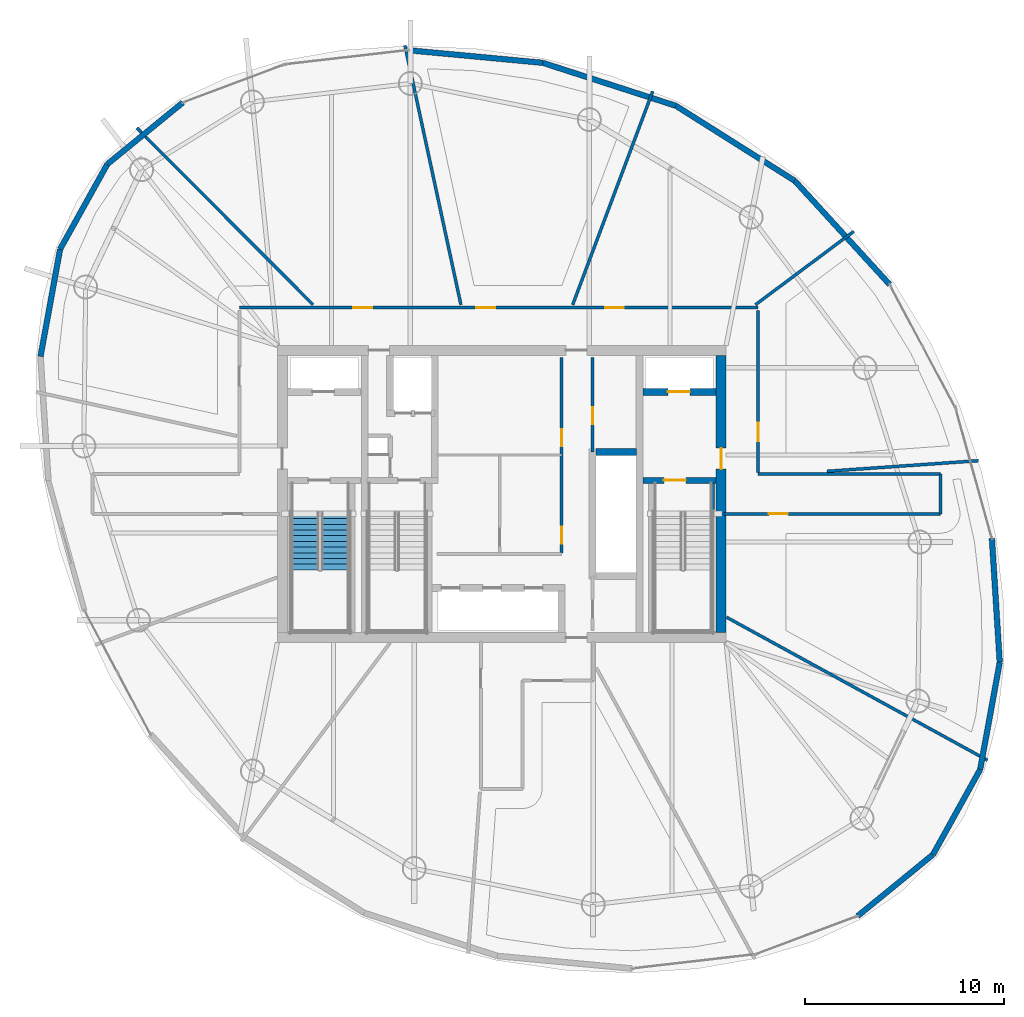
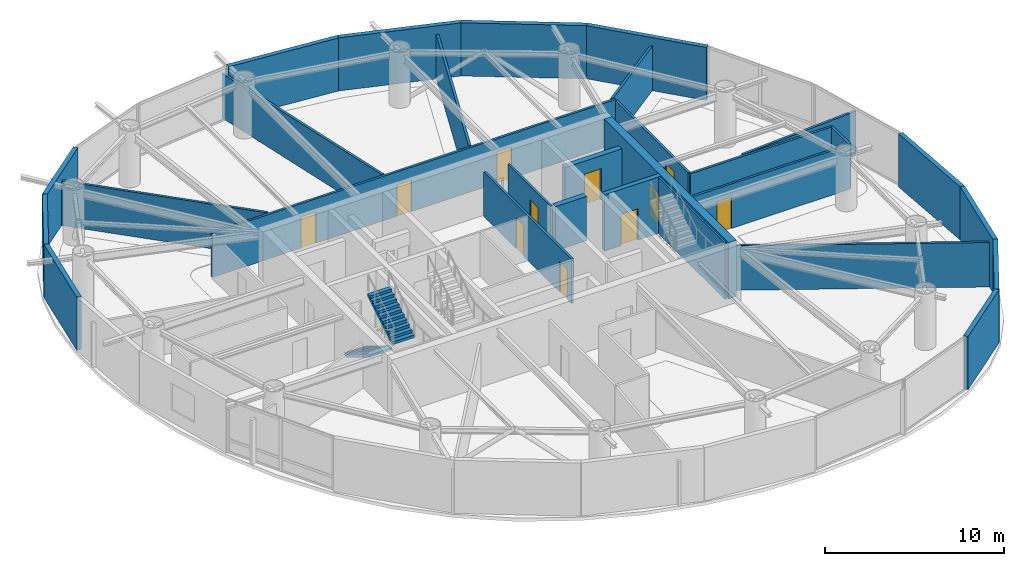
# One storey, part 18 of 22: 29 walls, 11 doors, 2 stair flights, 11 openings, 1 element without a shape of its own.
"""IFC4 building model written with IfcOpenShell, lengths in metres."""

from ifc_helpers import new_model, si_unit, direction, frame, frame_2d, origin, place, context, subcontext, project, spatial, polyline, rectangle, outline, extrude, material, layer, layer_set, type_object, element, fill, aggregate, save


model = new_model("IFC4")

# Units and contexts
model_context = context("Model", 3, precision=1e-05, world=origin(), true_north=direction((0.0, 1.0)))
body_context = subcontext(model_context, "Body", "Model", "MODEL_VIEW")
ifc_project = project(units=[si_unit("LENGTHUNIT", "METRE"), si_unit("AREAUNIT", "SQUARE_METRE"), si_unit("VOLUMEUNIT", "CUBIC_METRE"), si_unit("PLANEANGLEUNIT", "RADIAN"), si_unit("MASSUNIT", "GRAM", prefix="KILO")], contexts=[model_context])

# Site, building, storey
site_placement = place(None, origin())
site = spatial("IfcSite", under=ifc_project, at=site_placement, CompositionType="ELEMENT")
building_placement = place(site_placement, origin())
building = spatial("IfcBuilding", under=site, at=building_placement, Name="Bramvorn Convention Spire", CompositionType="ELEMENT")
storey_placement = place(building_placement, frame((0.0, 0.0, 190.449951171875)))
storey = spatial("IfcBuildingStorey", under=building, at=storey_placement, Name="L48", CompositionType="ELEMENT", Elevation=190.449951171875)

# Wall, opening, door
ifc_material_1 = material(Name="Concrete C50/60", Category="concrete")
ifc_layer_1 = layer(ifc_material_1, 0.5)
ifc_layer_set_1 = layer_set([ifc_layer_1], Name="Concrete C50/60 - WL-CORE-500")
wall_type_1 = type_object("IfcWallType", Name="WL-CORE-500", PredefinedType="SHEAR", material=ifc_layer_set_1)
wall_1_placement = place(storey_placement, frame((49.0, 19.050048828125, 0.0), z_axis=(0.0, 0.0, 1.0), x_axis=(0.0, 1.0, 0.0)))
wall_1 = element("IfcWall", 1, at=wall_1_placement, inside=storey, type_object=wall_type_1, Name="L48 East RC core shear wall", PredefinedType="SHEAR", context=body_context, shape_type="SweptSolid", body=[
    extrude(rectangle(XDim=13.89990234375, YDim=0.5, at=frame_2d((6.949951171875, 0.0))), origin(), (0.0, 0.0, 1.0), 3.85009765625),
])
opening_1_placement = place(wall_1_placement, frame((8.199951171875, 0.0, 0.0)))
opening_1 = element("IfcOpeningElement", 2, at=opening_1_placement, cuts=wall_1, Name="Opening DL-105", PredefinedType="OPENING", context=body_context, shape_type="SweptSolid", body=[
    extrude(rectangle(XDim=1.050048828125, YDim=2.14990234375, at=frame_2d((0.52490234375, 1.074951171875))), frame((0.0, 0.260009765625, 0.0), z_axis=(0.0, -1.0, 0.0), x_axis=(1.0, 0.0, 0.0)), (0.0, 0.0, 1.0), 0.52001953125),
])
ifc_material_2 = material(Name="Smoke-Sealed Fire Lobby Timber-Core Door", Category="wood")
door_type_1 = type_object("IfcDoorType", Name="DR-LOBBY-1050", OperationType="NOTDEFINED", PredefinedType="DOOR", material=ifc_material_2)
door_1_placement = place(opening_1_placement, origin())
door_1 = element("IfcDoor", 3, at=door_1_placement, inside=storey, type_object=door_type_1, Name="L48 East Firefighting Lobby corridor door", OperationType="SINGLE_SWING_LEFT", OverallHeight=2.14990234375, OverallWidth=1.050048828125, PredefinedType="DOOR", context=body_context, shape_type="SweptSolid", body=[
    extrude(rectangle(XDim=1.050048828125, YDim=2.14990234375, at=frame_2d((0.52490234375, 1.074951171875))), frame((0.0, 0.02490234375, 0.0), z_axis=(0.0, -1.0, 0.0), x_axis=(1.0, 0.0, 0.0)), (0.0, 0.0, 1.0), 0.050048828125),
])
fill(opening_1, door_1)

ifc_layer_2 = layer(ifc_material_1, 0.35009765625)
ifc_layer_set_2 = layer_set([ifc_layer_2], Name="Concrete C50/60 - WL-CORE-INT-350")
wall_type_2 = type_object("IfcWallType", Name="WL-CORE-INT-350", PredefinedType="SHEAR", material=ifc_layer_set_2)
wall_2_placement = place(storey_placement, frame((45.080078125, 31.1201171875, 0.0), z_axis=(0.0, 0.0, 1.0), x_axis=(1.0, 0.0, 0.0)))
wall_2 = element("IfcWall", 4, at=wall_2_placement, inside=storey, type_object=wall_type_2, Name="L48 FE2 shaft front wall", PredefinedType="SHEAR", context=body_context, shape_type="SweptSolid", body=[
    extrude(rectangle(XDim=3.669921875, YDim=0.35009765625, at=frame_2d((1.8349609375, 0.0))), origin(), (0.0, 0.0, 1.0), 3.03515625),
])
opening_2_placement = place(wall_2_placement, frame((1.25, 0.0, 0.0)))
opening_2 = element("IfcOpeningElement", 5, at=opening_2_placement, cuts=wall_2, Name="Opening LD-110", PredefinedType="OPENING", context=body_context, shape_type="SweptSolid", body=[
    extrude(rectangle(XDim=1.10009765625, YDim=2.14990234375, at=frame_2d((0.550048828125, 1.074951171875))), frame((0.0, 0.18505859375, 0.0), z_axis=(0.0, -1.0, 0.0), x_axis=(1.0, 0.0, 0.0)), (0.0, 0.0, 1.0), 0.3701171875),
])
ifc_material_3 = material(Name="Firefighting & Service Lift Sliding Landing Door", Category="steel")
door_type_2 = type_object("IfcDoorType", Name="DR-LIFT-LD-1100", OperationType="NOTDEFINED", PredefinedType="DOOR", material=ifc_material_3)
door_2_placement = place(opening_2_placement, origin())
door_2 = element("IfcDoor", 6, at=door_2_placement, inside=storey, type_object=door_type_2, Name="L48 Lift FE2 Sliding Landing Door", OperationType="SLIDING_TO_LEFT", OverallHeight=2.14990234375, OverallWidth=1.10009765625, PredefinedType="DOOR", context=body_context, shape_type="SweptSolid", body=[
    extrude(rectangle(XDim=1.10009765625, YDim=2.14990234375, at=frame_2d((0.550048828125, 1.074951171875))), frame((0.0, 0.02490234375, 0.0), z_axis=(0.0, -1.0, 0.0), x_axis=(1.0, 0.0, 0.0)), (0.0, 0.0, 1.0), 0.050048828125),
])
fill(opening_2, door_2)

# Walls
wall_3_placement = place(storey_placement, frame((42.719970703125, 28.10009765625, 0.0), z_axis=(0.0, 0.0, 1.0), x_axis=(1.0, 0.0, 0.0)))
element("IfcWall", 7, at=wall_3_placement, inside=storey, type_object=wall_type_2, Name="L48 High-rise lift bank north wall", PredefinedType="SHEAR", context=body_context, shape_type="SweptSolid", body=[
    extrude(rectangle(XDim=2.030029296875, YDim=0.35009765625, at=frame_2d((1.01513671875, 0.0))), origin(), (0.0, 0.0, 1.0), 3.03515625),
])
ifc_material_4 = material(Name="Precast Concrete C40/50 with Bronze Terracotta Rainscreen", Category="masonry")
ifc_layer_3 = layer(ifc_material_4, 0.300048828125)
ifc_layer_set_3 = layer_set([ifc_layer_3], Name="Precast Concrete C40/50 with Bronze Terracotta Rainscreen - WL-EXT-BRONZE-300")
wall_type_3 = type_object("IfcWallType", Name="WL-EXT-BRONZE-300", PredefinedType="SOLIDWALL", material=ifc_layer_set_3)
wall_4_placement = place(storey_placement, frame((61.985107421875, 12.1875, 0.0), z_axis=(0.0, 0.0, 1.0), x_axis=(-0.485290067778, -0.874353218165, 0.0)))
element("IfcWall", 8, at=wall_4_placement, inside=storey, type_object=wall_type_3, Name="L48 expressed bronze Gothic lancet pier wall 01", PredefinedType="SOLIDWALL", context=body_context, shape_type="SweptSolid", body=[
    extrude(rectangle(XDim=4.87646484375, YDim=0.280029296875, at=frame_2d((2.438232421875, 0.0))), origin(), (0.0, 0.0, 1.0), 3.6201171875),
])
wall_5_placement = place(storey_placement, frame((62.966796875, 17.563232421875, 0.0), z_axis=(0.0, 0.0, 1.0), x_axis=(-0.179644170525, -0.983731656498, 0.0)))
element("IfcWall", 9, at=wall_5_placement, inside=storey, type_object=wall_type_3, Name="L48 expressed bronze Gothic lancet pier wall 02", PredefinedType="SOLIDWALL", context=body_context, shape_type="SweptSolid", body=[
    extrude(rectangle(XDim=5.464599609375, YDim=0.280029296875, at=frame_2d((2.732421875, 0.0))), origin(), (0.0, 0.0, 1.0), 3.6201171875),
])
wall_6_placement = place(storey_placement, frame((62.573486328125, 23.777099609375, 0.0), z_axis=(0.0, 0.0, 1.0), x_axis=(0.063169203269, -0.998002831538, 0.0)))
element("IfcWall", 10, at=wall_6_placement, inside=storey, type_object=wall_type_3, Name="L48 expressed bronze Gothic lancet pier wall 03", PredefinedType="SOLIDWALL", context=body_context, shape_type="SweptSolid", body=[
    extrude(rectangle(XDim=6.226318359375, YDim=0.280029296875, at=frame_2d((3.11328125, 0.0))), origin(), (0.0, 0.0, 1.0), 3.6201171875),
])
wall_7_placement = place(storey_placement, frame((52.69287109375, 41.70166015625, 0.0), z_axis=(0.0, 0.0, 1.0), x_axis=(0.674996203947, -0.737821201008, 0.0)))
element("IfcWall", 11, at=wall_7_placement, inside=storey, type_object=wall_type_3, Name="L48 expressed bronze Gothic lancet pier wall 06", PredefinedType="SOLIDWALL", context=body_context, shape_type="SweptSolid", body=[
    extrude(rectangle(XDim=7.04541015625, YDim=0.280029296875, at=frame_2d((3.522705078125, 0.0))), origin(), (0.0, 0.0, 1.0), 3.6201171875),
])
wall_8_placement = place(storey_placement, frame((46.734375, 45.461669921875, 0.0), z_axis=(0.0, 0.0, 1.0), x_axis=(0.845697157584, -0.533663112511, 0.0)))
element("IfcWall", 12, at=wall_8_placement, inside=storey, type_object=wall_type_3, Name="L48 expressed bronze Gothic lancet pier wall 07", PredefinedType="SOLIDWALL", context=body_context, shape_type="SweptSolid", body=[
    extrude(rectangle(XDim=7.045654296875, YDim=0.280029296875, at=frame_2d((3.52294921875, 0.0))), origin(), (0.0, 0.0, 1.0), 3.6201171875),
])
wall_9_placement = place(storey_placement, frame((40.056884765625, 47.61962890625, 0.0), z_axis=(0.0, 0.0, 1.0), x_axis=(0.951544860773, -0.307509963964, 0.0)))
element("IfcWall", 13, at=wall_9_placement, inside=storey, type_object=wall_type_3, Name="L48 expressed bronze Gothic lancet pier wall 08", PredefinedType="SOLIDWALL", context=body_context, shape_type="SweptSolid", body=[
    extrude(rectangle(XDim=7.017578125, YDim=0.280029296875, at=frame_2d((3.5087890625, 0.0))), origin(), (0.0, 0.0, 1.0), 3.6201171875),
])
wall_10_placement = place(storey_placement, frame((33.302001953125, 48.251953125, 0.0), z_axis=(0.0, 0.0, 1.0), x_axis=(0.995647175429, -0.093202478833, 0.0)))
element("IfcWall", 14, at=wall_10_placement, inside=storey, type_object=wall_type_3, Name="L48 expressed bronze Gothic lancet pier wall 09", PredefinedType="SOLIDWALL", context=body_context, shape_type="SweptSolid", body=[
    extrude(rectangle(XDim=6.784423828125, YDim=0.280029296875, at=frame_2d((3.39208984375, 0.0))), origin(), (0.0, 0.0, 1.0), 3.6201171875),
])
wall_11_placement = place(storey_placement, frame((18.222412109375, 42.53662109375, 0.0), z_axis=(0.0, 0.0, 1.0), x_axis=(0.77459712555, 0.632454973172, 0.0)))
element("IfcWall", 15, at=wall_11_placement, inside=storey, type_object=wall_type_3, Name="L48 expressed bronze Gothic lancet pier wall 12", PredefinedType="SOLIDWALL", context=body_context, shape_type="SweptSolid", body=[
    extrude(rectangle(XDim=4.876220703125, YDim=0.280029296875, at=frame_2d((2.43798828125, 0.0))), origin(), (0.0, 0.0, 1.0), 3.6201171875),
])
wall_12_placement = place(storey_placement, frame((15.85595703125, 38.27294921875, 0.0), z_axis=(0.0, 0.0, 1.0), x_axis=(0.485290067778, 0.874353218165, 0.0)))
element("IfcWall", 16, at=wall_12_placement, inside=storey, type_object=wall_type_3, Name="L48 expressed bronze Gothic lancet pier wall 13", PredefinedType="SOLIDWALL", context=body_context, shape_type="SweptSolid", body=[
    extrude(rectangle(XDim=4.87646484375, YDim=0.280029296875, at=frame_2d((2.438232421875, 0.0))), origin(), (0.0, 0.0, 1.0), 3.6201171875),
])
wall_13_placement = place(storey_placement, frame((14.87451171875, 32.8974609375, 0.0), z_axis=(0.0, 0.0, 1.0), x_axis=(0.179608829185, 0.983738109701, 0.0)))
element("IfcWall", 17, at=wall_13_placement, inside=storey, type_object=wall_type_3, Name="L48 expressed bronze Gothic lancet pier wall 14", PredefinedType="SOLIDWALL", context=body_context, shape_type="SweptSolid", body=[
    extrude(rectangle(XDim=5.46435546875, YDim=0.280029296875, at=frame_2d((2.732177734375, 0.0))), origin(), (0.0, 0.0, 1.0), 3.6201171875),
])
wall_14_placement = place(storey_placement, frame((59.61865234375, 7.923828125, 0.0), z_axis=(0.0, 0.0, 1.0), x_axis=(-0.77459712555, -0.632454973172, 0.0)))
element("IfcWall", 18, at=wall_14_placement, inside=storey, type_object=wall_type_3, Name="L48 expressed bronze Gothic lancet pier wall 24", PredefinedType="SOLIDWALL", context=body_context, shape_type="SweptSolid", body=[
    extrude(rectangle(XDim=4.876220703125, YDim=0.280029296875, at=frame_2d((2.43798828125, 0.0))), origin(), (0.0, 0.0, 1.0), 3.6201171875),
])

# Wall, opening, door
ifc_material_5 = material(Name="Metal-Stud Demountable Office Partition", Category="gypsum")
ifc_layer_4 = layer(ifc_material_5, 0.1298828125)
ifc_layer_set_4 = layer_set([ifc_layer_4], Name="Metal-Stud Demountable Office Partition - WL-PART-130")
wall_type_4 = type_object("IfcWallType", Name="WL-PART-130", PredefinedType="PARTITIONING", material=ifc_layer_set_4)
wall_15_placement = place(storey_placement, frame((42.550048828125, 28.10009765625, 0.0), z_axis=(0.0, 0.0, 1.0), x_axis=(0.0, 1.0, 0.0)))
wall_15 = element("IfcWall", 19, at=wall_15_placement, inside=storey, type_object=wall_type_4, Name="L48 KA NE IDF wall", PredefinedType="PARTITIONING", context=body_context, shape_type="SweptSolid", body=[
    extrude(rectangle(XDim=4.75, YDim=0.1298828125, at=frame_2d((2.375, 0.0))), origin(), (0.0, 0.0, 1.0), 3.03515625),
])
opening_3_placement = place(wall_15_placement, frame((1.39990234375, 0.0, 0.0)))
opening_3 = element("IfcOpeningElement", 20, at=opening_3_placement, cuts=wall_15, Name="Opening DC-085", PredefinedType="OPENING", context=body_context, shape_type="SweptSolid", body=[
    extrude(rectangle(XDim=0.85009765625, YDim=2.10009765625, at=frame_2d((0.425048828125, 1.050048828125))), frame((0.0, 0.074951171875, 0.0), z_axis=(0.0, -1.0, 0.0), x_axis=(1.0, 0.0, 0.0)), (0.0, 0.0, 1.0), 0.14990234375),
])
ifc_material_6 = material(Name="Fire-Rated Core Washroom & IDF Door", Category="wood")
door_type_3 = type_object("IfcDoorType", Name="DR-CORE-850", OperationType="NOTDEFINED", PredefinedType="DOOR", material=ifc_material_6)
door_3_placement = place(opening_3_placement, origin())
door_3 = element("IfcDoor", 21, at=door_3_placement, inside=storey, type_object=door_type_3, Name="L48 Core IDF & BMS Room door", OperationType="SINGLE_SWING_LEFT", OverallHeight=2.10009765625, OverallWidth=0.85009765625, PredefinedType="DOOR", context=body_context, shape_type="SweptSolid", body=[
    extrude(rectangle(XDim=0.85009765625, YDim=2.10009765625, at=frame_2d((0.425048828125, 1.050048828125))), frame((0.0, 0.02490234375, 0.0), z_axis=(0.0, -1.0, 0.0), x_axis=(1.0, 0.0, 0.0)), (0.0, 0.0, 1.0), 0.050048828125),
])
fill(opening_3, door_3)

# Wall, openings, doors
ifc_material_7 = material(Name="Acoustic Metal-Stud Tenant/Corridor Partition", Category="gypsum")
ifc_layer_5 = layer(ifc_material_7, 0.14990234375)
ifc_layer_set_5 = layer_set([ifc_layer_5], Name="Acoustic Metal-Stud Tenant/Corridor Partition - WL-PART-150")
wall_type_5 = type_object("IfcWallType", Name="WL-PART-150", PredefinedType="PARTITIONING", material=ifc_layer_set_5)
wall_16_placement = place(storey_placement, frame((41.0, 23.050048828125, 0.0), z_axis=(0.0, 0.0, 1.0), x_axis=(0.0, 1.0, 0.0)))
wall_16 = element("IfcWall", 22, at=wall_16_placement, inside=storey, type_object=wall_type_5, Name="L48 KA east core wall", PredefinedType="PARTITIONING", context=body_context, shape_type="SweptSolid", body=[
    extrude(rectangle(XDim=9.800048828125, YDim=0.14990234375, at=frame_2d((4.89990234375, 0.0))), origin(), (0.0, 0.0, 1.0), 3.03515625),
])
opening_4_placement = place(wall_16_placement, frame((5.35009765625, 0.0, 0.0)))
opening_4 = element("IfcOpeningElement", 23, at=opening_4_placement, cuts=wall_16, Name="Opening DC-085", PredefinedType="OPENING", context=body_context, shape_type="SweptSolid", body=[
    extrude(rectangle(XDim=0.85009765625, YDim=2.10009765625, at=frame_2d((0.425048828125, 1.050048828125))), frame((0.0, 0.0849609375, 0.0), z_axis=(0.0, -1.0, 0.0), x_axis=(1.0, 0.0, 0.0)), (0.0, 0.0, 1.0), 0.169921875),
])
opening_5_placement = place(wall_16_placement, frame((0.449951171875, 0.0, 0.0)))
opening_5 = element("IfcOpeningElement", 24, at=opening_5_placement, cuts=wall_16, Name="Opening DC-085", PredefinedType="OPENING", context=body_context, shape_type="SweptSolid", body=[
    extrude(rectangle(XDim=0.85009765625, YDim=2.10009765625, at=frame_2d((0.425048828125, 1.050048828125))), frame((0.0, 0.0849609375, 0.0), z_axis=(0.0, -1.0, 0.0), x_axis=(1.0, 0.0, 0.0)), (0.0, 0.0, 1.0), 0.169921875),
])
door_4_placement = place(opening_4_placement, origin())
door_4 = element("IfcDoor", 25, at=door_4_placement, inside=storey, type_object=door_type_3, Name="L48 Core Linen & Equipment Store door", OperationType="SINGLE_SWING_LEFT", OverallHeight=2.10009765625, OverallWidth=0.85009765625, PredefinedType="DOOR", context=body_context, shape_type="SweptSolid", body=[
    extrude(rectangle(XDim=0.85009765625, YDim=2.10009765625, at=frame_2d((0.425048828125, 1.050048828125))), frame((0.0, 0.02490234375, 0.0), z_axis=(0.0, -1.0, 0.0), x_axis=(1.0, 0.0, 0.0)), (0.0, 0.0, 1.0), 0.050048828125),
])
fill(opening_4, door_4)
door_5_placement = place(opening_5_placement, origin())
door_5 = element("IfcDoor", 26, at=door_5_placement, inside=storey, type_object=door_type_3, Name="L48 Accessible Core Restroom door", OperationType="SINGLE_SWING_LEFT", OverallHeight=2.10009765625, OverallWidth=0.85009765625, PredefinedType="DOOR", context=body_context, shape_type="SweptSolid", body=[
    extrude(rectangle(XDim=0.85009765625, YDim=2.10009765625, at=frame_2d((0.425048828125, 1.050048828125))), frame((0.0, 0.02490234375, 0.0), z_axis=(0.0, -1.0, 0.0), x_axis=(1.0, 0.0, 0.0)), (0.0, 0.0, 1.0), 0.050048828125),
])
fill(opening_5, door_5)

wall_17_placement = place(storey_placement, frame((24.85009765625, 35.35009765625, 0.0), z_axis=(0.0, 0.0, 1.0), x_axis=(1.0, 0.0, 0.0)))
wall_17 = element("IfcWall", 27, at=wall_17_placement, inside=storey, type_object=wall_type_5, Name="L48 North gallery wall", PredefinedType="PARTITIONING", context=body_context, shape_type="SweptSolid", body=[
    extrude(rectangle(XDim=26.0, YDim=0.14990234375, at=frame_2d((13.0, 0.0))), origin(), (0.0, 0.0, 1.0), 3.03515625),
])
opening_6_placement = place(wall_17_placement, frame((18.3271484375, 0.0, 0.0)))
opening_6 = element("IfcOpeningElement", 28, at=opening_6_placement, cuts=wall_17, Name="Opening DH-095", PredefinedType="OPENING", context=body_context, shape_type="SweptSolid", body=[
    extrude(rectangle(XDim=0.949951171875, YDim=2.14990234375, at=frame_2d((0.47509765625, 1.074951171875))), frame((0.0, 0.0849609375, 0.0), z_axis=(0.0, -1.0, 0.0), x_axis=(1.0, 0.0, 0.0)), (0.0, 0.0, 1.0), 0.169921875),
])
opening_7_placement = place(wall_17_placement, frame((11.880859375, 0.0, 0.0)))
opening_7 = element("IfcOpeningElement", 29, at=opening_7_placement, cuts=wall_17, Name="Opening DH-095", PredefinedType="OPENING", context=body_context, shape_type="SweptSolid", body=[
    extrude(rectangle(XDim=0.949951171875, YDim=2.14990234375, at=frame_2d((0.47509765625, 1.074951171875))), frame((0.0, 0.0849609375, 0.0), z_axis=(0.0, -1.0, 0.0), x_axis=(1.0, 0.0, 0.0)), (0.0, 0.0, 1.0), 0.169921875),
])
opening_8_placement = place(wall_17_placement, frame((5.71142578125, 0.0, 0.0)))
opening_8 = element("IfcOpeningElement", 30, at=opening_8_placement, cuts=wall_17, Name="Opening DH-095", PredefinedType="OPENING", context=body_context, shape_type="SweptSolid", body=[
    extrude(rectangle(XDim=0.949951171875, YDim=2.14990234375, at=frame_2d((0.47509765625, 1.074951171875))), frame((0.0, 0.0849609375, 0.0), z_axis=(0.0, -1.0, 0.0), x_axis=(1.0, 0.0, 0.0)), (0.0, 0.0, 1.0), 0.169921875),
])
ifc_material_8 = material(Name="Solid-Core Acoustic Guestroom Entry Door", Category="wood")
door_type_4 = type_object("IfcDoorType", Name="DR-HOTEL-950", OperationType="NOTDEFINED", PredefinedType="DOOR", material=ifc_material_8)
door_6_placement = place(opening_6_placement, origin())
door_6 = element("IfcDoor", 31, at=door_6_placement, inside=storey, type_object=door_type_4, Name="L48 Archive & Document Vault 2 2 door", OperationType="SINGLE_SWING_LEFT", OverallHeight=2.14990234375, OverallWidth=0.949951171875, PredefinedType="DOOR", context=body_context, shape_type="SweptSolid", body=[
    extrude(rectangle(XDim=0.949951171875, YDim=2.14990234375, at=frame_2d((0.47509765625, 1.074951171875))), frame((0.0, 0.02490234375, 0.0), z_axis=(0.0, -1.0, 0.0), x_axis=(1.0, 0.0, 0.0)), (0.0, 0.0, 1.0), 0.050048828125),
])
fill(opening_6, door_6)
door_7_placement = place(opening_7_placement, origin())
door_7 = element("IfcDoor", 32, at=door_7_placement, inside=storey, type_object=door_type_4, Name="L48 Archive & Print Store 3 3 door", OperationType="SINGLE_SWING_LEFT", OverallHeight=2.14990234375, OverallWidth=0.949951171875, PredefinedType="DOOR", context=body_context, shape_type="SweptSolid", body=[
    extrude(rectangle(XDim=0.949951171875, YDim=2.14990234375, at=frame_2d((0.47509765625, 1.074951171875))), frame((0.0, 0.02490234375, 0.0), z_axis=(0.0, -1.0, 0.0), x_axis=(1.0, 0.0, 0.0)), (0.0, 0.0, 1.0), 0.050048828125),
])
fill(opening_7, door_7)
door_8_placement = place(opening_8_placement, origin())
door_8 = element("IfcDoor", 33, at=door_8_placement, inside=storey, type_object=door_type_4, Name="L48 Partner Private Office 1 4 door", OperationType="SINGLE_SWING_RIGHT", OverallHeight=2.14990234375, OverallWidth=0.949951171875, PredefinedType="DOOR", context=body_context, shape_type="SweptSolid", body=[
    extrude(rectangle(XDim=0.949951171875, YDim=2.14990234375, at=frame_2d((0.47509765625, 1.074951171875))), frame((0.0, 0.02490234375, 0.0), z_axis=(0.0, -1.0, 0.0), x_axis=(1.0, 0.0, 0.0)), (0.0, 0.0, 1.0), 0.050048828125),
])
fill(opening_8, door_8)

# Wall, opening, door
wall_18_placement = place(storey_placement, frame((50.85009765625, 27.080078125, 0.0), z_axis=(0.0, 0.0, 1.0), x_axis=(0.0, 1.0, 0.0)))
wall_18 = element("IfcWall", 34, at=wall_18_placement, inside=storey, type_object=wall_type_5, Name="L48 NE gallery cheek", PredefinedType="PARTITIONING", context=body_context, shape_type="SweptSolid", body=[
    extrude(rectangle(XDim=8.119873046875, YDim=0.14990234375, at=frame_2d((4.06005859375, 0.0))), origin(), (0.0, 0.0, 1.0), 3.03515625),
])
opening_9_placement = place(wall_18_placement, frame((1.554931640625, 0.0, 0.0)))
opening_9 = element("IfcOpeningElement", 35, at=opening_9_placement, cuts=wall_18, Name="Opening DH-095", PredefinedType="OPENING", context=body_context, shape_type="SweptSolid", body=[
    extrude(rectangle(XDim=0.949951171875, YDim=2.14990234375, at=frame_2d((0.47509765625, 1.074951171875))), frame((0.0, 0.0849609375, 0.0), z_axis=(0.0, -1.0, 0.0), x_axis=(1.0, 0.0, 0.0)), (0.0, 0.0, 1.0), 0.169921875),
])
door_9_placement = place(opening_9_placement, origin())
door_9 = element("IfcDoor", 36, at=door_9_placement, inside=storey, type_object=door_type_4, Name="L48 Archive & Document Store 1 1 door", OperationType="SINGLE_SWING_RIGHT", OverallHeight=2.14990234375, OverallWidth=0.949951171875, PredefinedType="DOOR", context=body_context, shape_type="SweptSolid", body=[
    extrude(rectangle(XDim=0.949951171875, YDim=2.14990234375, at=frame_2d((0.47509765625, 1.074951171875))), frame((0.0, 0.02490234375, 0.0), z_axis=(0.0, -1.0, 0.0), x_axis=(1.0, 0.0, 0.0)), (0.0, 0.0, 1.0), 0.050048828125),
])
fill(opening_9, door_9)

# Wall
wall_19_placement = place(storey_placement, frame((50.85009765625, 27.0, 0.0), z_axis=(0.0, 0.0, 1.0), x_axis=(1.0, 0.0, 0.0)))
element("IfcWall", 37, at=wall_19_placement, inside=storey, type_object=wall_type_5, Name="L48 East wing spine north wall", PredefinedType="PARTITIONING", context=body_context, shape_type="SweptSolid", body=[
    extrude(rectangle(XDim=9.15673828125, YDim=0.14990234375, at=frame_2d((4.578369140625, 0.0))), origin(), (0.0, 0.0, 1.0), 3.03515625),
])

# Wall, opening, door
wall_20_placement = place(storey_placement, frame((49.14990234375, 25.0, 0.0), z_axis=(0.0, 0.0, 1.0), x_axis=(1.0, 0.0, 0.0)))
wall_20 = element("IfcWall", 38, at=wall_20_placement, inside=storey, type_object=wall_type_5, Name="L48 East wing spine south wall", PredefinedType="PARTITIONING", context=body_context, shape_type="SweptSolid", body=[
    extrude(rectangle(XDim=10.85693359375, YDim=0.14990234375, at=frame_2d((5.428466796875, 0.0))), origin(), (0.0, 0.0, 1.0), 3.03515625),
])
opening_10_placement = place(wall_20_placement, frame((2.2392578125, 0.0, 0.0)))
opening_10 = element("IfcOpeningElement", 39, at=opening_10_placement, cuts=wall_20, Name="Opening DH-095", PredefinedType="OPENING", context=body_context, shape_type="SweptSolid", body=[
    extrude(rectangle(XDim=0.949951171875, YDim=2.14990234375, at=frame_2d((0.47509765625, 1.074951171875))), frame((0.0, 0.0849609375, 0.0), z_axis=(0.0, -1.0, 0.0), x_axis=(1.0, 0.0, 0.0)), (0.0, 0.0, 1.0), 0.169921875),
])
door_10_placement = place(opening_10_placement, origin())
door_10 = element("IfcDoor", 40, at=door_10_placement, inside=storey, type_object=door_type_4, Name="L48 Archive & Document Store 1 11 door", OperationType="SINGLE_SWING_LEFT", OverallHeight=2.14990234375, OverallWidth=0.949951171875, PredefinedType="DOOR", context=body_context, shape_type="SweptSolid", body=[
    extrude(rectangle(XDim=0.949951171875, YDim=2.14990234375, at=frame_2d((0.47509765625, 1.074951171875))), frame((0.0, 0.02490234375, 0.0), z_axis=(0.0, -1.0, 0.0), x_axis=(1.0, 0.0, 0.0)), (0.0, 0.0, 1.0), 0.050048828125),
])
fill(opening_10, door_10)

# Walls
wall_21_placement = place(storey_placement, frame((60.0068359375, 25.0, 0.0), z_axis=(0.0, 0.0, 1.0), x_axis=(0.0, 1.0, 0.0)))
element("IfcWall", 41, at=wall_21_placement, inside=storey, type_object=wall_type_5, Name="L48 East wing spine end wall", PredefinedType="PARTITIONING", context=body_context, shape_type="SweptSolid", body=[
    extrude(rectangle(XDim=2.0, YDim=0.14990234375, at=frame_2d((1.0, 0.0))), origin(), (0.0, 0.0, 1.0), 3.03515625),
])
wall_22_placement = place(storey_placement, frame((54.302734375, 27.139892578125, 0.0), z_axis=(0.0, 0.0, 1.0), x_axis=(0.997562514279, 0.069778435819, 0.0)))
element("IfcWall", 42, at=wall_22_placement, inside=storey, type_object=wall_type_5, Name="L48 Tenant suite partition 1", PredefinedType="PARTITIONING", context=body_context, shape_type="SweptSolid", body=[
    extrude(rectangle(XDim=7.620361328125, YDim=0.14990234375, at=frame_2d((3.81005859375, 0.0))), origin(), (0.0, 0.0, 1.0), 3.03515625),
])
wall_23_placement = place(storey_placement, frame((50.71923828125, 35.489990234375, 0.0), z_axis=(0.0, 0.0, 1.0), x_axis=(0.801486425079, 0.598012968433, 0.0)))
element("IfcWall", 43, at=wall_23_placement, inside=storey, type_object=wall_type_5, Name="L48 Tenant suite partition 2", PredefinedType="PARTITIONING", context=body_context, shape_type="SweptSolid", body=[
    extrude(rectangle(XDim=6.158935546875, YDim=0.14990234375, at=frame_2d((3.07958984375, 0.0))), origin(), (0.0, 0.0, 1.0), 3.03515625),
])
wall_24_placement = place(storey_placement, frame((41.556640625, 35.489990234375, 0.0), z_axis=(0.0, 0.0, 1.0), x_axis=(0.350964338917, 0.936388825653, 0.0)))
element("IfcWall", 44, at=wall_24_placement, inside=storey, type_object=wall_type_5, Name="L48 Tenant suite partition 3", PredefinedType="PARTITIONING", context=body_context, shape_type="SweptSolid", body=[
    extrude(rectangle(XDim=11.435546875, YDim=0.14990234375, at=frame_2d((5.7177734375, 0.0))), origin(), (0.0, 0.0, 1.0), 3.03515625),
])
wall_25_placement = place(storey_placement, frame((35.951416015625, 35.489990234375, 0.0), z_axis=(0.0, 0.0, 1.0), x_axis=(-0.211016689377, 0.977482458566, 0.0)))
element("IfcWall", 45, at=wall_25_placement, inside=storey, type_object=wall_type_5, Name="L48 Tenant suite partition 4", PredefinedType="PARTITIONING", context=body_context, shape_type="SweptSolid", body=[
    extrude(rectangle(XDim=13.3017578125, YDim=0.14990234375, at=frame_2d((6.65087890625, 0.0))), origin(), (0.0, 0.0, 1.0), 3.03515625),
])
wall_26_placement = place(storey_placement, frame((28.5400390625, 35.489990234375, 0.0), z_axis=(0.0, 0.0, 1.0), x_axis=(-0.705983856865, 0.708227925068, 0.0)))
element("IfcWall", 46, at=wall_26_placement, inside=storey, type_object=wall_type_5, Name="L48 Tenant suite partition 5", PredefinedType="PARTITIONING", context=body_context, shape_type="SweptSolid", body=[
    extrude(rectangle(XDim=12.51123046875, YDim=0.14990234375, at=frame_2d((6.255615234375, 0.0))), origin(), (0.0, 0.0, 1.0), 3.03515625),
])
wall_27_placement = place(storey_placement, frame((49.27001953125, 19.822998046875, 0.0), z_axis=(0.0, 0.0, 1.0), x_axis=(0.876914727702, -0.48064598234, 0.0)))
element("IfcWall", 47, at=wall_27_placement, inside=storey, type_object=wall_type_5, Name="L48 Tenant suite partition 11", PredefinedType="PARTITIONING", context=body_context, shape_type="SweptSolid", body=[
    extrude(rectangle(XDim=14.92431640625, YDim=0.14990234375, at=frame_2d((7.462158203125, 0.0))), origin(), (0.0, 0.0, 1.0), 3.03515625),
])

# Wall, opening, door
ifc_layer_6 = layer(ifc_material_1, 0.300048828125)
ifc_layer_set_6 = layer_set([ifc_layer_6], Name="Concrete C50/60 - WL-POD-STAIR-300")
wall_type_6 = type_object("IfcWallType", Name="WL-POD-STAIR-300", PredefinedType="SHEAR", material=ifc_layer_set_6)
wall_28_placement = place(storey_placement, frame((45.080078125, 26.68994140625, 0.0), z_axis=(0.0, 0.0, 1.0), x_axis=(1.0, 0.0, 0.0)))
wall_28 = element("IfcWall", 48, at=wall_28_placement, inside=storey, type_object=wall_type_6, Name="L48 ST2 north fire wall", PredefinedType="SHEAR", context=body_context, shape_type="SweptSolid", body=[
    extrude(rectangle(XDim=3.669921875, YDim=0.300048828125, at=frame_2d((1.8349609375, 0.0))), origin(), (0.0, 0.0, 1.0), 3.85009765625),
])
opening_11_placement = place(wall_28_placement, frame((1.050048828125, 0.0, 0.0)))
opening_11 = element("IfcOpeningElement", 49, at=opening_11_placement, cuts=wall_28, Name="Opening DS-110", PredefinedType="OPENING", context=body_context, shape_type="SweptSolid", body=[
    extrude(rectangle(XDim=1.10009765625, YDim=2.14990234375, at=frame_2d((0.550048828125, 1.074951171875))), frame((0.0, 0.159912109375, 0.0), z_axis=(0.0, -1.0, 0.0), x_axis=(1.0, 0.0, 0.0)), (0.0, 0.0, 1.0), 0.320068359375),
])
ifc_material_9 = material(Name="Fire-Rated Hollow Steel Stairwell Door", Category="steel")
door_type_5 = type_object("IfcDoorType", Name="DR-STAIR-1100", OperationType="NOTDEFINED", PredefinedType="DOOR", material=ifc_material_9)
door_11_placement = place(opening_11_placement, origin())
door_11 = element("IfcDoor", 50, at=door_11_placement, inside=storey, type_object=door_type_5, Name="L48 Stair ST2 fire door", OperationType="SINGLE_SWING_RIGHT", OverallHeight=2.14990234375, OverallWidth=1.10009765625, PredefinedType="DOOR", context=body_context, shape_type="SweptSolid", body=[
    extrude(rectangle(XDim=1.10009765625, YDim=2.14990234375, at=frame_2d((0.550048828125, 1.074951171875))), frame((0.0, 0.02490234375, 0.0), z_axis=(0.0, -1.0, 0.0), x_axis=(1.0, 0.0, 0.0)), (0.0, 0.0, 1.0), 0.050048828125),
])
fill(opening_11, door_11)

# Wall
ifc_layer_7 = layer(ifc_material_1, 0.1201171875)
ifc_layer_set_7 = layer_set([ifc_layer_7], Name="Concrete C50/60 - WL-STAIR-RC-120")
wall_type_7 = type_object("IfcWallType", Name="WL-STAIR-RC-120", PredefinedType="SHEAR", material=ifc_layer_set_7)
wall_29_placement = place(storey_placement, frame((48.60498046875, 19.10009765625, 0.0), z_axis=(0.0, 0.0, 1.0), x_axis=(0.0, 1.0, 0.0)))
element("IfcWall", 51, at=wall_29_placement, inside=storey, type_object=wall_type_7, Name="L48 ST2 east bearing shear wall", PredefinedType="SHEAR", context=body_context, shape_type="SweptSolid", body=[
    extrude(rectangle(XDim=7.449951171875, YDim=0.1201171875, at=frame_2d((3.72509765625, 0.0))), origin(), (0.0, 0.0, 1.0), 3.85009765625),
])

# Stair, stair flights
ifc_material_10 = material(Name="Concrete C40/50 Precast Stair", Category="concrete")
stair_type = type_object("IfcStairType", Name="ST-TOWER-1550", PredefinedType="HALF_TURN_STAIR", material=ifc_material_10)
stair_placement = place(storey_placement, origin())
stair = element("IfcStair", 52, at=stair_placement, inside=storey, type_object=stair_type, Name="L48 Protected Exit Stair ST1", PredefinedType="HALF_TURN_STAIR")
ifc_material_11 = material(Name="Concrete C40/50 Precast Stair Flight", Category="concrete")
stair_flight_type = type_object("IfcStairFlightType", Name="STF-TOWER-1550", PredefinedType="STRAIGHT", material=ifc_material_11)
stair_flight_1_placement = place(storey_placement, frame((28.155029296875, 25.050048828125, 0.0), z_axis=(0.0, 0.0, 1.0), x_axis=(0.0, -1.0, 0.0)))
stair_flight_1 = element("IfcStairFlight", 53, at=stair_flight_1_placement, type_object=stair_flight_type, Name="ST1 flight 1", NumberOfRisers=11, NumberOfTreads=10, PredefinedType="STRAIGHT", RiserHeight=0.175, TreadLength=0.285, context=body_context, shape_type="SweptSolid", body=[
    extrude(outline(polyline([(0.0, 0.0), (0.0, 0.175048828125), (0.284912109375, 0.175048828125), (0.284912109375, 0.35009765625), (0.570068359375, 0.35009765625), (0.570068359375, 0.52490234375), (0.85498046875, 0.52490234375), (0.85498046875, 0.699951171875), (1.139892578125, 0.699951171875), (1.139892578125, 0.875), (1.425048828125, 0.875), (1.425048828125, 1.050048828125), (1.7099609375, 1.050048828125), (1.7099609375, 1.22509765625), (1.9951171875, 1.22509765625), (1.9951171875, 1.39990234375), (2.280029296875, 1.39990234375), (2.280029296875, 1.574951171875), (2.56494140625, 1.574951171875), (2.56494140625, 1.75), (2.85009765625, 1.75), (2.85009765625, 1.925048828125), (2.85009765625, 1.573974609375), (0.286376953125, 0.0), (0.0, 0.0)])), frame((0.0, 0.705078125, 0.0), z_axis=(0.0, -1.0, 0.0), x_axis=(1.0, 0.0, 0.0)), (0.0, 0.0, 1.0), 1.409912109375),
])
stair_flight_2_placement = place(storey_placement, frame((29.64501953125, 22.199951171875, 1.925048828125), z_axis=(0.0, 0.0, 1.0), x_axis=(0.0, 1.0, 0.0)))
stair_flight_2 = element("IfcStairFlight", 54, at=stair_flight_2_placement, type_object=stair_flight_type, Name="ST1 flight 2", NumberOfRisers=11, NumberOfTreads=10, PredefinedType="STRAIGHT", RiserHeight=0.175, TreadLength=0.285, context=body_context, shape_type="SweptSolid", body=[
    extrude(outline(polyline([(0.0, 0.0), (0.0, 0.175048828125), (0.284912109375, 0.175048828125), (0.284912109375, 0.35009765625), (0.570068359375, 0.35009765625), (0.570068359375, 0.52490234375), (0.85498046875, 0.52490234375), (0.85498046875, 0.699951171875), (1.139892578125, 0.699951171875), (1.139892578125, 0.875), (1.425048828125, 0.875), (1.425048828125, 1.050048828125), (1.7099609375, 1.050048828125), (1.7099609375, 1.22509765625), (1.9951171875, 1.22509765625), (1.9951171875, 1.39990234375), (2.280029296875, 1.39990234375), (2.280029296875, 1.574951171875), (2.56494140625, 1.574951171875), (2.56494140625, 1.75), (2.85009765625, 1.75), (2.85009765625, 1.925048828125), (2.85009765625, 1.573974609375), (0.286376953125, 0.0), (0.0, 0.0)])), frame((0.0, 0.705078125, 0.0), z_axis=(0.0, -1.0, 0.0), x_axis=(1.0, 0.0, 0.0)), (0.0, 0.0, 1.0), 1.409912109375),
])
aggregate(stair, [stair_flight_1, stair_flight_2])

save(model, "model.ifc")
